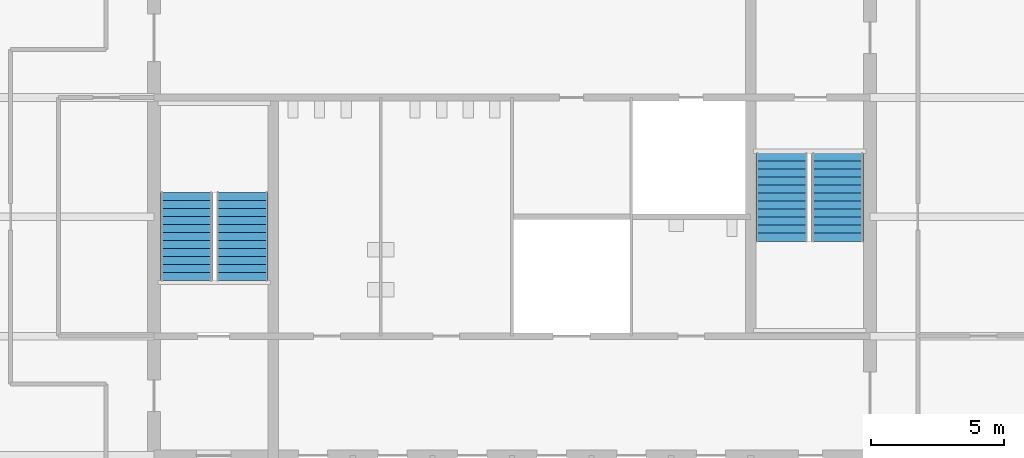
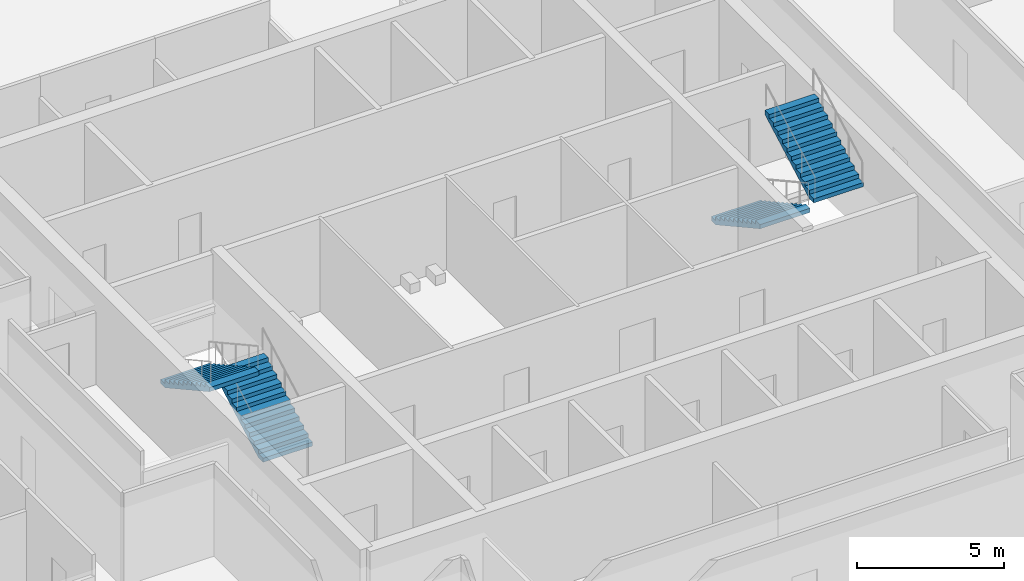
# One storey, part 11 of 13: 4 stair flights, 2 elements without a shape of their own.
"""IFC4 building model written with IfcOpenShell, lengths in metres."""

from ifc_helpers import new_model, si_unit, direction, frame, origin, place, context, subcontext, project, spatial, polyline, outline, extrude, material, type_object, element, aggregate, save


model = new_model("IFC4")

# Units and contexts
model_context = context("Model", 3, precision=1e-05, world=origin(), true_north=direction((0.0, 1.0)))
body_context = subcontext(model_context, "Body", "Model", "MODEL_VIEW")
ifc_project = project(units=[si_unit("LENGTHUNIT", "METRE"), si_unit("AREAUNIT", "SQUARE_METRE"), si_unit("VOLUMEUNIT", "CUBIC_METRE"), si_unit("PLANEANGLEUNIT", "RADIAN"), si_unit("MASSUNIT", "GRAM", prefix="KILO")], contexts=[model_context])

# Site, building, storey
site_placement = place(None, origin())
site = spatial("IfcSite", under=ifc_project, at=site_placement, CompositionType="ELEMENT")
building_placement = place(site_placement, origin())
building = spatial("IfcBuilding", under=site, at=building_placement, Name="Corais Broadcast Tower", CompositionType="ELEMENT")
storey_placement = place(building_placement, frame((0.0, 0.0, 155.60009765625)))
storey = spatial("IfcBuildingStorey", under=building, at=storey_placement, Name="L35", CompositionType="ELEMENT", Elevation=155.60009765625)

# Stair, stair flights
ifc_material_1 = material(Name="Concrete C30/37", Category="concrete")
stair_type = type_object("IfcStairType", Name="Half-turn stair 4000", PredefinedType="HALF_TURN_STAIR", material=ifc_material_1)
stair_1_placement = place(storey_placement, origin())
stair_1 = element("IfcStair", 1, at=stair_1_placement, inside=storey, type_object=stair_type, Name="Stair A L35", PredefinedType="HALF_TURN_STAIR")
ifc_material_2 = material(Name="Concrete C30/37", Category="concrete")
stair_flight_type = type_object("IfcStairFlightType", Name="Stair flight 4000", PredefinedType="STRAIGHT", material=ifc_material_2)
stair_flight_1_placement = place(storey_placement, frame((16.824951171875, 24.60009765625, 0.0), z_axis=(0.0, 0.0, 1.0), x_axis=(0.0, 1.0, 0.0)))
stair_flight_1 = element("IfcStairFlight", 2, at=stair_flight_1_placement, type_object=stair_flight_type, Name="STA flight 1", NumberOfRisers=12, NumberOfTreads=11, PredefinedType="STRAIGHT", RiserHeight=0.166666667, TreadLength=0.302, context=body_context, shape_type="SweptSolid", body=[
    extrude(outline(polyline([(0.0, 0.0), (0.0, 0.166748046875), (0.302001953125, 0.166748046875), (0.302001953125, 0.333251953125), (0.60400390625, 0.333251953125), (0.60400390625, 0.5), (0.906005859375, 0.5), (0.906005859375, 0.666748046875), (1.2080078125, 0.666748046875), (1.2080078125, 0.833251953125), (1.510009765625, 0.833251953125), (1.510009765625, 1.0), (1.81201171875, 1.0), (1.81201171875, 1.166748046875), (2.114013671875, 1.166748046875), (2.114013671875, 1.333251953125), (2.416015625, 1.333251953125), (2.416015625, 1.5), (2.718017578125, 1.5), (2.718017578125, 1.666748046875), (3.02001953125, 1.666748046875), (3.02001953125, 1.833251953125), (3.322021484375, 1.833251953125), (3.322021484375, 2.0), (3.322021484375, 1.662109375), (0.310302734375, 0.0), (0.0, 0.0)])), frame((0.0, 0.97509765625, 0.0), z_axis=(0.0, -1.0, 0.0), x_axis=(1.0, 0.0, 0.0)), (0.0, 0.0, 1.0), 1.949951171875),
])
stair_flight_2_placement = place(storey_placement, frame((14.72509765625, 27.922119140625, 2.0), z_axis=(0.0, 0.0, 1.0), x_axis=(0.0, -1.0, 0.0)))
stair_flight_2 = element("IfcStairFlight", 3, at=stair_flight_2_placement, type_object=stair_flight_type, Name="STA flight 2", NumberOfRisers=12, NumberOfTreads=11, PredefinedType="STRAIGHT", RiserHeight=0.166666667, TreadLength=0.302, context=body_context, shape_type="SweptSolid", body=[
    extrude(outline(polyline([(0.0, 0.0), (0.0, 0.166748046875), (0.302001953125, 0.166748046875), (0.302001953125, 0.333251953125), (0.60400390625, 0.333251953125), (0.60400390625, 0.5), (0.906005859375, 0.5), (0.906005859375, 0.666748046875), (1.2080078125, 0.666748046875), (1.2080078125, 0.833251953125), (1.510009765625, 0.833251953125), (1.510009765625, 1.0), (1.81201171875, 1.0), (1.81201171875, 1.166748046875), (2.114013671875, 1.166748046875), (2.114013671875, 1.333251953125), (2.416015625, 1.333251953125), (2.416015625, 1.5), (2.718017578125, 1.5), (2.718017578125, 1.666748046875), (3.02001953125, 1.666748046875), (3.02001953125, 1.833251953125), (3.322021484375, 1.833251953125), (3.322021484375, 2.0), (3.322021484375, 1.662109375), (0.310302734375, 0.0), (0.0, 0.0)])), frame((0.0, 0.97509765625, 0.0), z_axis=(0.0, -1.0, 0.0), x_axis=(1.0, 0.0, 0.0)), (0.0, 0.0, 1.0), 1.949951171875),
])
aggregate(stair_1, [stair_flight_1, stair_flight_2])

stair_2_placement = place(storey_placement, origin())
stair_2 = element("IfcStair", 4, at=stair_2_placement, inside=storey, type_object=stair_type, Name="Stair B L35", PredefinedType="HALF_TURN_STAIR")
stair_flight_3_placement = place(storey_placement, frame((37.175048828125, 29.39990234375, 0.0), z_axis=(0.0, 0.0, 1.0), x_axis=(0.0, -1.0, 0.0)))
stair_flight_3 = element("IfcStairFlight", 5, at=stair_flight_3_placement, type_object=stair_flight_type, Name="STB flight 1", NumberOfRisers=12, NumberOfTreads=11, PredefinedType="STRAIGHT", RiserHeight=0.166666667, TreadLength=0.302, context=body_context, shape_type="SweptSolid", body=[
    extrude(outline(polyline([(0.0, 0.0), (0.0, 0.166748046875), (0.302001953125, 0.166748046875), (0.302001953125, 0.333251953125), (0.60400390625, 0.333251953125), (0.60400390625, 0.5), (0.906005859375, 0.5), (0.906005859375, 0.666748046875), (1.2080078125, 0.666748046875), (1.2080078125, 0.833251953125), (1.510009765625, 0.833251953125), (1.510009765625, 1.0), (1.81201171875, 1.0), (1.81201171875, 1.166748046875), (2.114013671875, 1.166748046875), (2.114013671875, 1.333251953125), (2.416015625, 1.333251953125), (2.416015625, 1.5), (2.718017578125, 1.5), (2.718017578125, 1.666748046875), (3.02001953125, 1.666748046875), (3.02001953125, 1.833251953125), (3.322021484375, 1.833251953125), (3.322021484375, 2.0), (3.322021484375, 1.662109375), (0.310302734375, 0.0), (0.0, 0.0)])), frame((0.0, 0.97509765625, 0.0), z_axis=(0.0, -1.0, 0.0), x_axis=(1.0, 0.0, 0.0)), (0.0, 0.0, 1.0), 1.949951171875),
])
stair_flight_4_placement = place(storey_placement, frame((39.27490234375, 26.077880859375, 2.0), z_axis=(0.0, 0.0, 1.0), x_axis=(0.0, 1.0, 0.0)))
stair_flight_4 = element("IfcStairFlight", 6, at=stair_flight_4_placement, type_object=stair_flight_type, Name="STB flight 2", NumberOfRisers=12, NumberOfTreads=11, PredefinedType="STRAIGHT", RiserHeight=0.166666667, TreadLength=0.302, context=body_context, shape_type="SweptSolid", body=[
    extrude(outline(polyline([(0.0, 0.0), (0.0, 0.166748046875), (0.302001953125, 0.166748046875), (0.302001953125, 0.333251953125), (0.60400390625, 0.333251953125), (0.60400390625, 0.5), (0.906005859375, 0.5), (0.906005859375, 0.666748046875), (1.2080078125, 0.666748046875), (1.2080078125, 0.833251953125), (1.510009765625, 0.833251953125), (1.510009765625, 1.0), (1.81201171875, 1.0), (1.81201171875, 1.166748046875), (2.114013671875, 1.166748046875), (2.114013671875, 1.333251953125), (2.416015625, 1.333251953125), (2.416015625, 1.5), (2.718017578125, 1.5), (2.718017578125, 1.666748046875), (3.02001953125, 1.666748046875), (3.02001953125, 1.833251953125), (3.322021484375, 1.833251953125), (3.322021484375, 2.0), (3.322021484375, 1.662109375), (0.310302734375, 0.0), (0.0, 0.0)])), frame((0.0, 0.97509765625, 0.0), z_axis=(0.0, -1.0, 0.0), x_axis=(1.0, 0.0, 0.0)), (0.0, 0.0, 1.0), 1.949951171875),
])
aggregate(stair_2, [stair_flight_3, stair_flight_4])

save(model, "model.ifc")
